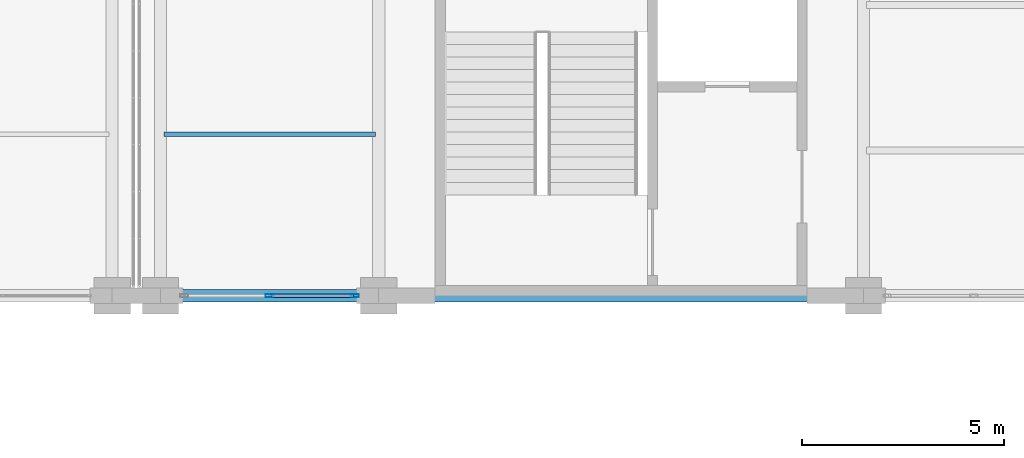
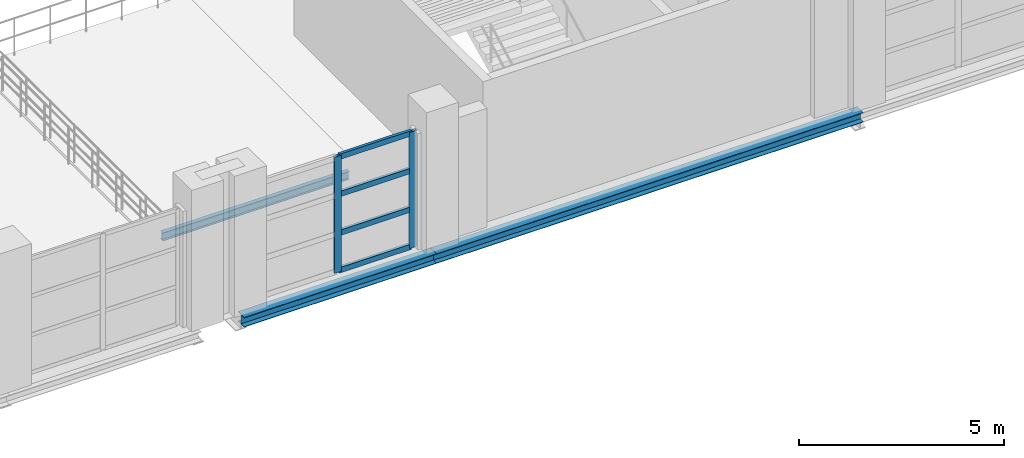
# One storey, part 101 of 158: 6 members, 3 beams, 1 element without a shape of its own.
"""IFC4 building model written with IfcOpenShell, lengths in metres."""

from ifc_helpers import new_model, si_unit, direction, frame, origin, origin_2d, place, context, subcontext, project, spatial, hollow_rectangle, i_section, extrude, material, layer, layer_set, material_profile, profile_set, type_object, element, aggregate, save


model = new_model("IFC4")

# Units and contexts
model_context = context("Model", 3, precision=1e-05, world=origin(), true_north=direction((0.0, 1.0)))
body_context = subcontext(model_context, "Body", "Model", "MODEL_VIEW")
ifc_project = project(units=[si_unit("LENGTHUNIT", "METRE"), si_unit("AREAUNIT", "SQUARE_METRE"), si_unit("VOLUMEUNIT", "CUBIC_METRE"), si_unit("PLANEANGLEUNIT", "RADIAN"), si_unit("MASSUNIT", "GRAM", prefix="KILO")], contexts=[model_context])

# Site, building, storey
site_placement = place(None, origin())
site = spatial("IfcSite", under=ifc_project, at=site_placement, CompositionType="ELEMENT")
building_placement = place(site_placement, origin())
building = spatial("IfcBuilding", under=site, at=building_placement, Name="Zilviju Railside Exhibition Hall", CompositionType="ELEMENT")
storey_placement = place(building_placement, frame((0.0, 0.0, 4.199951171875)))
storey = spatial("IfcBuildingStorey", under=building, at=storey_placement, Name="L02", CompositionType="ELEMENT", Elevation=4.199951171875)

# Beams
ifc_material_1 = material(Name="Steel S355J2", Category="steel")
ifc_material_profile_1 = material_profile(ifc_material_1, i_section(OverallWidth=0.300048828125, OverallDepth=0.2900390625, WebThickness=0.008544921875, FlangeThickness=0.013916015625, at=origin_2d()), Name="HEA 300")
ifc_profile_set_1 = profile_set([ifc_material_profile_1], Name="Steel S355J2")
beam_type_1 = type_object("IfcBeamType", Name="BM-HEA300", PredefinedType="SPANDREL", material=ifc_profile_set_1)
beam_1_placement = place(storey_placement, frame((174.60009765625, 84.0, -0.474853515625), z_axis=(1.0, 0.0, 0.0), x_axis=(0.0, 1.0, 0.0)))
element("IfcBeam", 1, at=beam_1_placement, inside=storey, type_object=beam_type_1, Name="Primary Girder L02 Y=84.0 (174.6..180.0)", PredefinedType="SPANDREL", context=body_context, shape_type="SweptSolid", body=[
    extrude(i_section(OverallWidth=0.300048828125, OverallDepth=0.2900390625, WebThickness=0.008544921875, FlangeThickness=0.013916015625, at=origin_2d()), origin(), (0.0, 0.0, 1.0), 5.39990234375),
])
beam_2_placement = place(storey_placement, frame((180.0, 84.0, -0.474853515625), z_axis=(1.0, 0.0, 0.0), x_axis=(0.0, 1.0, 0.0)))
element("IfcBeam", 2, at=beam_2_placement, inside=storey, type_object=beam_type_1, Name="Primary Girder L02 Y=84.0 (180.0..192.0)", PredefinedType="SPANDREL", context=body_context, shape_type="SweptSolid", body=[
    extrude(i_section(OverallWidth=0.300048828125, OverallDepth=0.2900390625, WebThickness=0.008544921875, FlangeThickness=0.013916015625, at=origin_2d()), origin(), (0.0, 0.0, 1.0), 12.0),
])
ifc_material_profile_2 = material_profile(ifc_material_1, i_section(OverallWidth=0.1201171875, OverallDepth=0.239990234375, WebThickness=0.006103515625, FlangeThickness=0.009765625, at=origin_2d()), Name="IPE 240")
ifc_profile_set_2 = profile_set([ifc_material_profile_2], Name="Steel S355J2")
beam_type_2 = type_object("IfcBeamType", Name="BM-IPE240", PredefinedType="JOIST", material=ifc_profile_set_2)
beam_3_placement = place(storey_placement, frame((174.679931640625, 88.0, -0.449951171875), z_axis=(1.0, 0.0, 0.0), x_axis=(0.0, 1.0, 0.0)))
element("IfcBeam", 3, at=beam_3_placement, inside=storey, type_object=beam_type_2, Name="Composite Floor Joist L02 Y=88.00 (174.6..180.0)", PredefinedType="JOIST", context=body_context, shape_type="SweptSolid", body=[
    extrude(i_section(OverallWidth=0.1201171875, OverallDepth=0.239990234375, WebThickness=0.006103515625, FlangeThickness=0.009765625, at=origin_2d()), origin(), (0.0, 0.0, 1.0), 5.239990234375),
])

# Curtain wall, members
ifc_material_2 = material(Name="Thermally broken aluminium-steel triple-glazed curtain wall", Category="steel")
ifc_layer = layer(ifc_material_2, 0.179931640625)
ifc_layer_set = layer_set([ifc_layer], Name="Thermally broken aluminium-steel triple-glazed curtain wall")
curtain_wall_type = type_object("IfcCurtainWallType", Name="CW-BAY-10", PredefinedType="USERDEFINED", material=ifc_layer_set)
curtain_wall_placement = place(storey_placement, origin())
curtain_wall = element("IfcCurtainWall", 4, at=curtain_wall_placement, inside=storey, type_object=curtain_wall_type, Name="North Hall Garden Court Curtain Wall L02 (175..180)", ObjectType="GLAZED CURTAIN WALL", PredefinedType="USERDEFINED")
ifc_material_3 = material(Name="Thermally broken anodized aluminium mullion", Category="aluminium")
ifc_material_profile_3 = material_profile(ifc_material_3, hollow_rectangle(XDim=0.080078125, YDim=0.199951171875, WallThickness=0.0048828125, at=origin_2d()), Name="MULLION 200x80x5")
ifc_profile_set_3 = profile_set([ifc_material_profile_3], Name="Thermally broken anodized aluminium mullion")
member_type_1 = type_object("IfcMemberType", Name="CWM-80x200", PredefinedType="MULLION", material=ifc_profile_set_3)
member_1_placement = place(storey_placement, frame((179.409912109375, 84.0, 0.0), z_axis=(0.0, 0.0, 1.0), x_axis=(0.0, -1.0, 0.0)))
member_1 = element("IfcMember", 5, at=member_1_placement, type_object=member_type_1, Name="CW-10 mullion 1", PredefinedType="MULLION", context=body_context, shape_type="SweptSolid", body=[
    extrude(hollow_rectangle(XDim=0.080078125, YDim=0.199951171875, WallThickness=0.0048828125, at=origin_2d()), origin(), (0.0, 0.0, 1.0), 3.449951171875),
])
member_2_placement = place(storey_placement, frame((177.300048828125, 84.0, 0.0), z_axis=(0.0, 0.0, 1.0), x_axis=(0.0, -1.0, 0.0)))
member_2 = element("IfcMember", 6, at=member_2_placement, type_object=member_type_1, Name="CW-10 mullion 2", PredefinedType="MULLION", context=body_context, shape_type="SweptSolid", body=[
    extrude(hollow_rectangle(XDim=0.080078125, YDim=0.199951171875, WallThickness=0.0048828125, at=origin_2d()), origin(), (0.0, 0.0, 1.0), 3.449951171875),
])
ifc_material_4 = material(Name="Thermally broken anodized aluminium transom", Category="aluminium")
ifc_material_profile_4 = material_profile(ifc_material_4, hollow_rectangle(XDim=0.080078125, YDim=0.159912109375, WallThickness=0.0048828125, at=origin_2d()), Name="TRANSOM 160x80x5")
ifc_profile_set_4 = profile_set([ifc_material_profile_4], Name="Thermally broken anodized aluminium transom")
member_type_2 = type_object("IfcMemberType", Name="CWT-80x160", PredefinedType="USERDEFINED", material=ifc_profile_set_4)
member_3_placement = place(storey_placement, frame((179.3701171875, 84.0, 0.0400390625), z_axis=(-1.0, 0.0, 0.0), x_axis=(0.0, -1.0, 0.0)))
member_3 = element("IfcMember", 7, at=member_3_placement, type_object=member_type_2, Name="CW-10 transom 1.1", ObjectType="TRANSOM", PredefinedType="USERDEFINED", context=body_context, shape_type="SweptSolid", body=[
    extrude(hollow_rectangle(XDim=0.080078125, YDim=0.159912109375, WallThickness=0.0048828125, at=origin_2d()), origin(), (0.0, 0.0, 1.0), 2.030029296875),
])
member_4_placement = place(storey_placement, frame((179.3701171875, 84.0, 1.150146484375), z_axis=(-1.0, 0.0, 0.0), x_axis=(0.0, -1.0, 0.0)))
member_4 = element("IfcMember", 8, at=member_4_placement, type_object=member_type_2, Name="CW-10 transom 1.2", ObjectType="TRANSOM", PredefinedType="USERDEFINED", context=body_context, shape_type="SweptSolid", body=[
    extrude(hollow_rectangle(XDim=0.080078125, YDim=0.159912109375, WallThickness=0.0048828125, at=origin_2d()), origin(), (0.0, 0.0, 1.0), 2.030029296875),
])
member_5_placement = place(storey_placement, frame((179.3701171875, 84.0, 2.300048828125), z_axis=(-1.0, 0.0, 0.0), x_axis=(0.0, -1.0, 0.0)))
member_5 = element("IfcMember", 9, at=member_5_placement, type_object=member_type_2, Name="CW-10 transom 1.3", ObjectType="TRANSOM", PredefinedType="USERDEFINED", context=body_context, shape_type="SweptSolid", body=[
    extrude(hollow_rectangle(XDim=0.080078125, YDim=0.159912109375, WallThickness=0.0048828125, at=origin_2d()), origin(), (0.0, 0.0, 1.0), 2.030029296875),
])
member_6_placement = place(storey_placement, frame((179.3701171875, 84.0, 3.41015625), z_axis=(-1.0, 0.0, 0.0), x_axis=(0.0, -1.0, 0.0)))
member_6 = element("IfcMember", 10, at=member_6_placement, type_object=member_type_2, Name="CW-10 transom 1.4", ObjectType="TRANSOM", PredefinedType="USERDEFINED", context=body_context, shape_type="SweptSolid", body=[
    extrude(hollow_rectangle(XDim=0.080078125, YDim=0.159912109375, WallThickness=0.0048828125, at=origin_2d()), origin(), (0.0, 0.0, 1.0), 2.030029296875),
])
aggregate(curtain_wall, [member_1, member_2, member_3, member_4, member_5, member_6])

save(model, "model.ifc")
